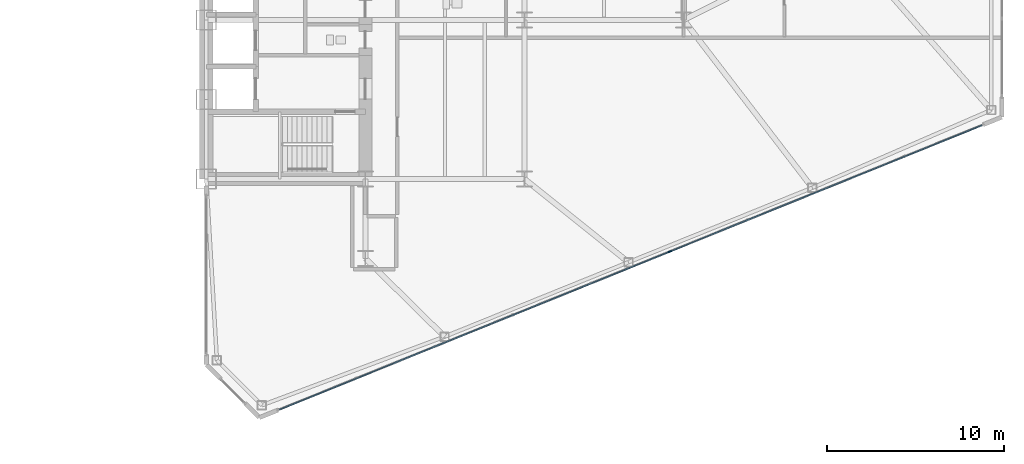
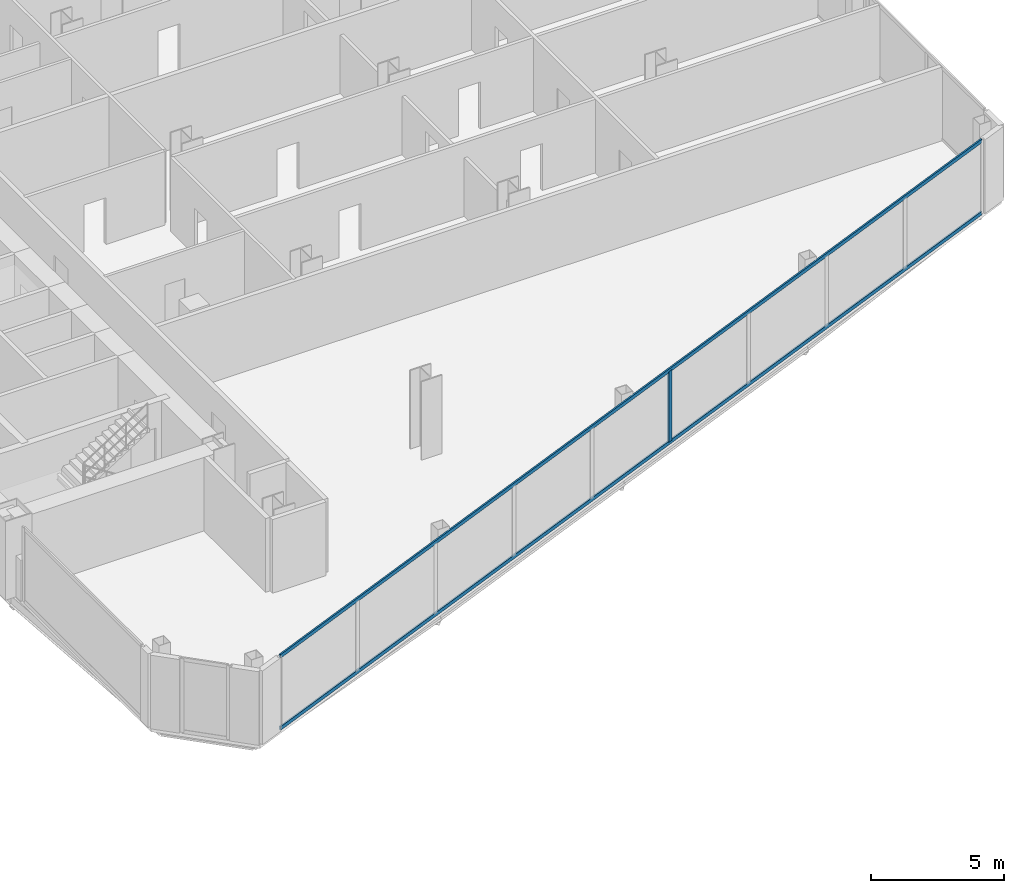
# One storey, part 10 of 25: 3 members, 1 element without a shape of its own.
"""IFC4 building model written with IfcOpenShell, lengths in metres."""

from ifc_helpers import new_model, si_unit, direction, frame, origin, origin_2d, place, context, subcontext, project, spatial, rectangle, extrude, source, transform, mapped, material, layer, layer_set, material_profile, profile_set, type_object, type_shapes, element, aggregate, save


model = new_model("IFC4")

# Units and contexts
model_context = context("Model", 3, precision=1e-05, world=origin(), true_north=direction((0.0, 1.0)))
body_context = subcontext(model_context, "Body", "Model", "MODEL_VIEW")
ifc_project = project(units=[si_unit("LENGTHUNIT", "METRE"), si_unit("AREAUNIT", "SQUARE_METRE"), si_unit("VOLUMEUNIT", "CUBIC_METRE"), si_unit("PLANEANGLEUNIT", "RADIAN"), si_unit("MASSUNIT", "GRAM", prefix="KILO")], contexts=[model_context])

# Site, building, storey
site_placement = place(None, origin())
site = spatial("IfcSite", under=ifc_project, at=site_placement, CompositionType="ELEMENT")
building_placement = place(site_placement, origin())
building = spatial("IfcBuilding", under=site, at=building_placement, Name="Seokmaru Belvedere", CompositionType="ELEMENT")
storey_placement = place(building_placement, frame((0.0, 0.0, 58.5)))
storey = spatial("IfcBuildingStorey", under=building, at=storey_placement, Name="L15", CompositionType="ELEMENT", Elevation=58.5)

# Curtain wall, members
ifc_material_1 = material(Name="Bronze Triple Insulating Glass", Category="glass")
ifc_layer = layer(ifc_material_1, 0.2099609375)
ifc_layer_set = layer_set([ifc_layer], Name="Bronze Triple Insulating Glass")
curtain_wall_type = type_object("IfcCurtainWallType", Name="Low-Rise Faceted Crystal Curtain Wall System CW-2", PredefinedType="NOTDEFINED", material=ifc_layer_set)
curtain_wall_placement = place(storey_placement, origin())
curtain_wall = element("IfcCurtainWall", 1, at=curtain_wall_placement, inside=storey, type_object=curtain_wall_type, Name="L15 Curtain Wall EF1", PredefinedType="NOTDEFINED")
ifc_material_2 = material(Name="Anodised Bronze Aluminium", Category="aluminium")
ifc_material_profile_1 = material_profile(ifc_material_2, rectangle(XDim=0.074951171875, YDim=0.2099609375, at=origin_2d()), Name="CW-M-75x210")
ifc_profile_set_1 = profile_set([ifc_material_profile_1], Name="Anodised Bronze Aluminium")
member_type_1 = type_object("IfcMemberType", Name="Bronze Unitised Mullion 75x210", PredefinedType="MULLION", material=ifc_profile_set_1)
shared_shape_1 = source(origin(), body_context, "Body", "SweptSolid", [
    extrude(rectangle(XDim=0.074951171875, YDim=0.2099609375, at=origin_2d()), origin(), (0.0, 0.0, 1.0), 3.239990234375),
])
type_shapes(member_type_1, [shared_shape_1])
member_1_placement = place(storey_placement, frame((53.71484375, -17.603515625, 0.070068359375), z_axis=(0.0, 0.0, 1.0), x_axis=(-0.375192321888, 0.926946989637, 0.0)))
member_1 = element("IfcMember", 2, at=member_1_placement, type_object=member_type_1, Name="CW:L15:EF1 Mullion 6", PredefinedType="MULLION", context=body_context, shape_type="MappedRepresentation", body=[
    mapped(shared_shape_1, transform((0.0, 0.0, 0.0), scale=1.0)),
])
ifc_material_profile_2 = material_profile(ifc_material_2, rectangle(XDim=0.070068359375, YDim=0.1650390625, at=origin_2d()), Name="CW-T-70x165")
ifc_profile_set_2 = profile_set([ifc_material_profile_2], Name="Anodised Bronze Aluminium")
member_type_2 = type_object("IfcMemberType", Name="Bronze Unitised Transom 70x165", PredefinedType="USERDEFINED", material=ifc_profile_set_2)
shared_shape_2 = source(origin(), body_context, "Body", "SweptSolid", [
    extrude(rectangle(XDim=0.070068359375, YDim=0.1650390625, at=origin_2d()), origin(), (0.0, 0.0, 1.0), 42.860107421875),
])
type_shapes(member_type_2, [shared_shape_2])
member_2_placement = place(storey_placement, frame((31.635498046875, -26.540283203125, 0.034912109375), z_axis=(0.926948605599, 0.375188329481, 0.0), x_axis=(-0.375188329481, 0.926948605599, 0.0)))
member_2 = element("IfcMember", 3, at=member_2_placement, type_object=member_type_2, Name="CW:L15:EF1 Continuous Transom 1", ObjectType="TRANSOM", PredefinedType="USERDEFINED", context=body_context, shape_type="MappedRepresentation", body=[
    mapped(shared_shape_2, transform((0.0, 0.0, 0.0), scale=1.0)),
])
member_3_placement = place(storey_placement, frame((31.635498046875, -26.540283203125, 3.344970703125), z_axis=(0.926948605599, 0.375188329481, 0.0), x_axis=(-0.375188329481, 0.926948605599, 0.0)))
member_3 = element("IfcMember", 4, at=member_3_placement, type_object=member_type_2, Name="CW:L15:EF1 Continuous Transom 2", ObjectType="TRANSOM", PredefinedType="USERDEFINED", context=body_context, shape_type="MappedRepresentation", body=[
    mapped(shared_shape_2, transform((0.0, 0.0, 0.0), scale=1.0)),
])
aggregate(curtain_wall, [member_1, member_2, member_3])

save(model, "model.ifc")
